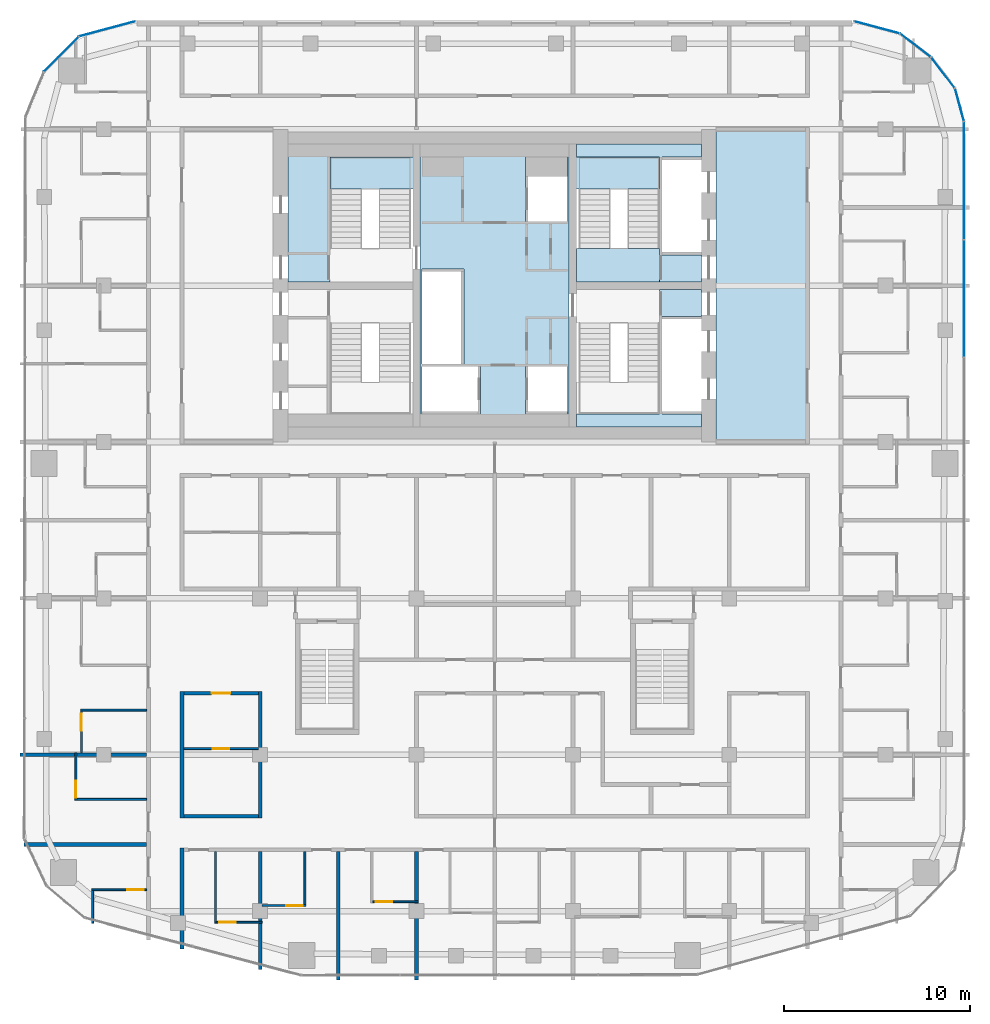
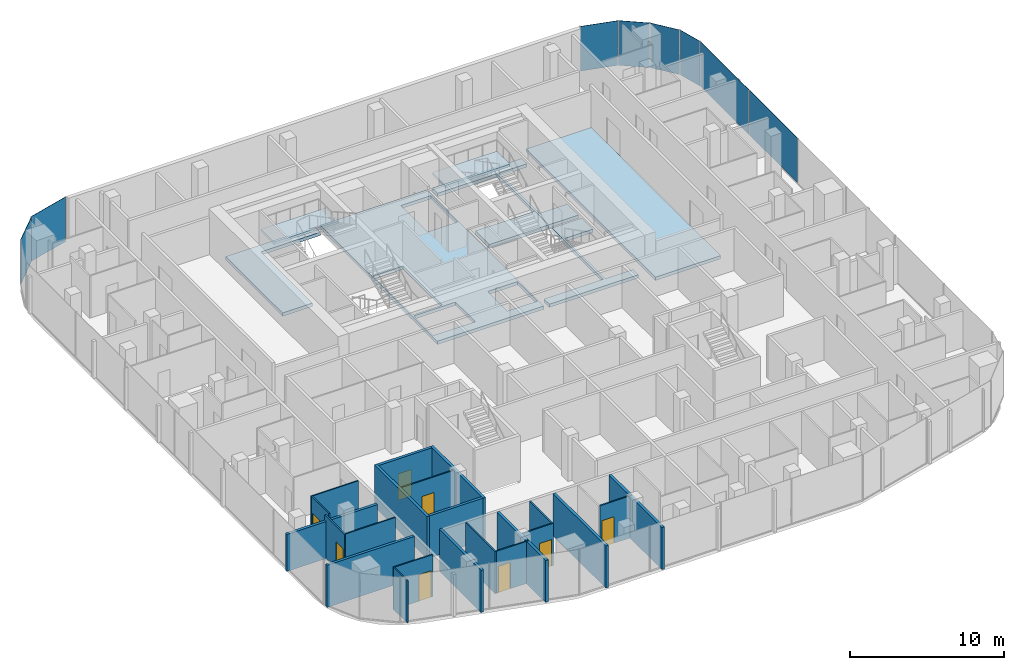
# One storey, part 13 of 22: 22 walls, 8 doors, 8 plates, 8 slabs, 8 openings, 9 elements without a shape of their own.
"""IFC4 building model written with IfcOpenShell, lengths in metres."""

from ifc_helpers import new_model, si_unit, direction, frame, frame_2d, origin, origin_2d, place, context, subcontext, project, spatial, polyline, rectangle, outline, extrude, material, layer, layer_set, type_object, element, fill, aggregate, save


model = new_model("IFC4")

# Units and contexts
model_context = context("Model", 3, precision=1e-05, world=origin(), true_north=direction((0.0, 1.0)))
body_context = subcontext(model_context, "Body", "Model", "MODEL_VIEW")
ifc_project = project(units=[si_unit("LENGTHUNIT", "METRE"), si_unit("AREAUNIT", "SQUARE_METRE"), si_unit("VOLUMEUNIT", "CUBIC_METRE"), si_unit("PLANEANGLEUNIT", "RADIAN"), si_unit("MASSUNIT", "GRAM", prefix="KILO")], contexts=[model_context])

# Site, building, storey
site_placement = place(None, origin())
site = spatial("IfcSite", under=ifc_project, at=site_placement, CompositionType="ELEMENT")
building_placement = place(site_placement, origin())
building = spatial("IfcBuilding", under=site, at=building_placement, Name="Marenta Gate Hotel Tower", CompositionType="ELEMENT")
storey_placement = place(building_placement, frame((0.0, 0.0, 209.300048828125)))
storey = spatial("IfcBuildingStorey", under=building, at=storey_placement, Name="L48", CompositionType="ELEMENT", Elevation=209.300048828125)

# Slabs
ifc_material_1 = material(Name="Concrete C40", Category="concrete")
ifc_layer_1 = layer(ifc_material_1, 0.260009765625)
ifc_layer_set_1 = layer_set([ifc_layer_1], Name="Concrete C40")
slab_type_1 = type_object("IfcSlabType", Name="Core floor slab 260", PredefinedType="FLOOR", material=ifc_layer_set_1)
slab_1_placement = place(storey_placement, frame((0.0, 0.0, -0.260009765625)))
element("IfcSlab", 1, at=slab_1_placement, inside=storey, type_object=slab_type_1, Name="L48-CF-1", PredefinedType="FLOOR", context=body_context, shape_type="SweptSolid", body=[
    extrude(outline(polyline([(11.89990234375, 0.0), (11.89990234375, 16.800048828125), (16.800048828125, 16.800048828125), (16.800048828125, 0.0), (11.89990234375, 0.0)])), origin(), (0.0, 0.0, 1.0), 0.260009765625),
])
slab_2_placement = place(storey_placement, frame((0.0, 0.0, -0.260009765625)))
element("IfcSlab", 2, at=slab_2_placement, inside=storey, type_object=slab_type_1, Name="L48-CF-2", PredefinedType="FLOOR", context=body_context, shape_type="SweptSolid", body=[
    extrude(outline(polyline([(8.85009765625, 1.5), (8.85009765625, 6.39990234375), (8.85009765625, 8.10009765625), (8.85009765625, 8.199951171875), (11.10009765625, 8.199951171875), (11.10009765625, 6.75), (9.0, 6.75), (9.0, 6.60009765625), (9.0, 4.199951171875), (9.0, 4.050048828125), (9.0, 1.64990234375), (9.0, 1.5), (11.10009765625, 1.5), (11.10009765625, 0.800048828125), (4.39990234375, 0.800048828125), (4.39990234375, 1.5), (8.85009765625, 1.5)])), origin(), (0.0, 0.0, 1.0), 0.260009765625),
])
slab_3_placement = place(storey_placement, frame((0.0, 0.0, -0.260009765625)))
element("IfcSlab", 3, at=slab_3_placement, inside=storey, type_object=slab_type_1, Name="L48-CF-3", PredefinedType="FLOOR", context=body_context, shape_type="SweptSolid", body=[
    extrude(outline(polyline([(8.85009765625, 15.300048828125), (4.39990234375, 15.300048828125), (4.39990234375, 16.0), (11.10009765625, 16.0), (11.10009765625, 15.300048828125), (9.0, 15.300048828125), (9.0, 15.14990234375), (9.0, 12.75), (9.0, 12.60009765625), (9.0, 10.199951171875), (9.0, 10.050048828125), (11.10009765625, 10.050048828125), (11.10009765625, 8.60009765625), (8.85009765625, 8.60009765625), (8.85009765625, 8.699951171875), (8.85009765625, 10.39990234375), (8.85009765625, 15.300048828125)])), origin(), (0.0, 0.0, 1.0), 0.260009765625),
])
slab_4_placement = place(storey_placement, frame((0.0, 0.0, -0.260009765625)))
element("IfcSlab", 4, at=slab_4_placement, inside=storey, type_object=slab_type_1, Name="L48-CF-4", PredefinedType="FLOOR", context=body_context, shape_type="SweptSolid", body=[
    extrude(outline(polyline([(4.0, 15.300048828125), (4.0, 10.39990234375), (4.0, 6.39990234375), (4.0, 1.5), (4.0, 0.800048828125), (-4.0, 0.800048828125), (-4.0, 1.5), (-4.0, 6.39990234375), (-4.0, 10.39990234375), (-4.0, 15.300048828125), (-4.0, 16.0), (4.0, 16.0), (4.0, 15.300048828125)]), holes=[polyline([(1.64990234375, 14.25), (1.64990234375, 11.85009765625), (1.800048828125, 11.85009765625), (3.89990234375, 11.85009765625), (3.89990234375, 14.25), (3.89990234375, 15.300048828125), (1.64990234375, 15.300048828125), (1.64990234375, 14.25)]), polyline([(3.89990234375, 1.64990234375), (3.89990234375, 4.050048828125), (1.800048828125, 4.050048828125), (1.64990234375, 4.050048828125), (1.64990234375, 1.64990234375), (1.64990234375, 1.5), (3.89990234375, 1.5), (3.89990234375, 1.64990234375)]), polyline([(-3.89990234375, 1.64990234375), (-3.89990234375, 1.5), (-0.89990234375, 1.5), (-0.75, 1.5), (-0.75, 4.050048828125), (-0.89990234375, 4.050048828125), (-3.89990234375, 4.050048828125), (-3.89990234375, 1.64990234375)]), polyline([(-1.800048828125, 4.199951171875), (-1.64990234375, 4.199951171875), (-1.64990234375, 9.14990234375), (-1.64990234375, 9.300048828125), (-3.89990234375, 9.300048828125), (-3.89990234375, 9.14990234375), (-3.89990234375, 6.75), (-3.89990234375, 6.60009765625), (-3.89990234375, 4.199951171875), (-1.800048828125, 4.199951171875)])]), origin(), (0.0, 0.0, 1.0), 0.260009765625),
])
slab_5_placement = place(storey_placement, frame((0.0, 0.0, -0.260009765625)))
element("IfcSlab", 5, at=slab_5_placement, inside=storey, type_object=slab_type_1, Name="L48-CF-6", PredefinedType="FLOOR", context=body_context, shape_type="SweptSolid", body=[
    extrude(outline(polyline([(-4.39990234375, 15.300048828125), (-8.85009765625, 15.300048828125), (-8.85009765625, 10.39990234375), (-8.85009765625, 8.699951171875), (-8.85009765625, 8.60009765625), (-11.10009765625, 8.60009765625), (-11.10009765625, 16.0), (-4.39990234375, 16.0), (-4.39990234375, 15.300048828125)])), origin(), (0.0, 0.0, 1.0), 0.260009765625),
])

# Stair, slab
ifc_material_2 = material(Name="Concrete C40", Category="concrete")
stair_type = type_object("IfcStairType", Name="Core exit stair 1700 wide", PredefinedType="HALF_TURN_STAIR", material=ifc_material_2)
stair_1_placement = place(storey_placement, origin())
stair_1 = element("IfcStair", 6, at=stair_1_placement, inside=storey, type_object=stair_type, Name="Exit stair 2", PredefinedType="HALF_TURN_STAIR")
ifc_material_3 = material(Name="Concrete C40", Category="concrete")
ifc_layer_2 = layer(ifc_material_3, 0.199951171875)
ifc_layer_set_2 = layer_set([ifc_layer_2], Name="Concrete C40")
slab_type_2 = type_object("IfcSlabType", Name="Core stair landing 200", PredefinedType="LANDING", material=ifc_layer_set_2)
slab_6_placement = place(storey_placement, frame((0.0, 0.0, 1.599853515625)))
slab_6 = element("IfcSlab", 7, at=slab_6_placement, type_object=slab_type_2, Name="SL-200 ST2 landing 1", PredefinedType="LANDING", context=body_context, shape_type="SweptSolid", body=[
    extrude(outline(polyline([(-8.85009765625, 13.590087890625), (-4.0, 13.590087890625), (-4.0, 15.300048828125), (-8.85009765625, 15.300048828125), (-8.85009765625, 13.590087890625)])), origin(), (0.0, 0.0, 1.0), 0.2001953125),
])
aggregate(stair_1, [slab_6])

stair_2_placement = place(storey_placement, origin())
stair_2 = element("IfcStair", 8, at=stair_2_placement, inside=storey, type_object=stair_type, Name="Exit stair 4", PredefinedType="HALF_TURN_STAIR")
slab_7_placement = place(storey_placement, frame((0.0, 0.0, 1.599853515625)))
slab_7 = element("IfcSlab", 9, at=slab_7_placement, type_object=slab_type_2, Name="SL-200 ST4 landing 1", PredefinedType="LANDING", context=body_context, shape_type="SweptSolid", body=[
    extrude(outline(polyline([(4.0, 13.590087890625), (8.85009765625, 13.590087890625), (8.85009765625, 15.300048828125), (4.0, 15.300048828125), (4.0, 13.590087890625)])), origin(), (0.0, 0.0, 1.0), 0.2001953125),
])
aggregate(stair_2, [slab_7])

# Curtain wall, plate
ifc_material_4 = material(Name="Tinted insulated glass in bronze anodised frame", Category="glass")
ifc_layer_3 = layer(ifc_material_4, 0.1201171875)
ifc_layer_set_3 = layer_set([ifc_layer_3], Name="Tinted insulated glass in bronze anodised frame")
curtain_wall_type = type_object("IfcCurtainWallType", Name="Tower unitised curtain wall CW1", PredefinedType="NOTDEFINED", material=ifc_layer_set_3)
curtain_wall_1_placement = place(storey_placement, origin())
curtain_wall_1 = element("IfcCurtainWall", 10, at=curtain_wall_1_placement, inside=storey, type_object=curtain_wall_type, Name="CW1 run G00", PredefinedType="NOTDEFINED")
ifc_material_5 = material(Name="Tinted insulated glass", Category="glass")
ifc_layer_4 = layer(ifc_material_5, 0.028076171875)
ifc_layer_set_4 = layer_set([ifc_layer_4], Name="Tinted insulated glass")
plate_type = type_object("IfcPlateType", Name="Glass panel CW1 28 mm tinted insulated unit", PredefinedType="CURTAIN_PANEL", material=ifc_layer_set_4)
plate_1_placement = place(storey_placement, frame((-20.813720703125, 22.19384765625, 0.059814453125), z_axis=(0.0, 0.0, 1.0), x_axis=(-0.965930559685, -0.258801379183, 0.0)))
plate_1 = element("IfcPlate", 11, at=plate_1_placement, type_object=plate_type, Name="CW1 panel 1.1", PredefinedType="CURTAIN_PANEL", context=body_context, shape_type="SweptSolid", body=[
    extrude(rectangle(XDim=3.104248046875, YDim=0.028076171875, at=origin_2d()), origin(), (0.0, 0.0, 1.0), 3.5400390625),
])
aggregate(curtain_wall_1, [plate_1])

curtain_wall_2_placement = place(storey_placement, origin())
curtain_wall_2 = element("IfcCurtainWall", 12, at=curtain_wall_2_placement, inside=storey, type_object=curtain_wall_type, Name="CW1 run G01", PredefinedType="NOTDEFINED")
plate_2_placement = place(storey_placement, frame((-23.279541015625, 20.825439453125, 0.059814453125), z_axis=(0.0, 0.0, 1.0), x_axis=(-0.707106781187, -0.707106781187, 0.0)))
plate_2 = element("IfcPlate", 13, at=plate_2_placement, type_object=plate_type, Name="CW1 panel 1.1", PredefinedType="CURTAIN_PANEL", context=body_context, shape_type="SweptSolid", body=[
    extrude(rectangle(XDim=2.614013671875, YDim=0.028076171875, at=origin_2d()), origin(), (0.0, 0.0, 1.0), 3.5400390625),
])
aggregate(curtain_wall_2, [plate_2])

# Curtain wall, plates
curtain_wall_3_placement = place(storey_placement, origin())
curtain_wall_3 = element("IfcCurtainWall", 14, at=curtain_wall_3_placement, inside=storey, type_object=curtain_wall_type, Name="CW1 run G11", PredefinedType="NOTDEFINED")
plate_3_placement = place(storey_placement, frame((25.214111328125, 7.7080078125, 0.059814453125), z_axis=(0.0, 0.0, 1.0), x_axis=(0.0, 1.0, 0.0)))
plate_3 = element("IfcPlate", 15, at=plate_3_placement, type_object=plate_type, Name="CW1 panel 5.1", PredefinedType="CURTAIN_PANEL", context=body_context, shape_type="SweptSolid", body=[
    extrude(rectangle(XDim=6.2626953125, YDim=0.028076171875, at=origin_2d()), origin(), (0.0, 0.0, 1.0), 3.5400390625),
])
plate_4_placement = place(storey_placement, frame((25.214111328125, 14.045654296875, 0.059814453125), z_axis=(0.0, 0.0, 1.0), x_axis=(0.0, 1.0, 0.0)))
plate_4 = element("IfcPlate", 16, at=plate_4_placement, type_object=plate_type, Name="CW1 panel 6.1", PredefinedType="CURTAIN_PANEL", context=body_context, shape_type="SweptSolid", body=[
    extrude(rectangle(XDim=6.29248046875, YDim=0.028076171875, at=origin_2d()), origin(), (0.0, 0.0, 1.0), 3.5400390625),
])
aggregate(curtain_wall_3, [plate_3, plate_4])

# Curtain wall, plate
curtain_wall_4_placement = place(storey_placement, origin())
curtain_wall_4 = element("IfcCurtainWall", 17, at=curtain_wall_4_placement, inside=storey, type_object=curtain_wall_type, Name="CW1 run G12", PredefinedType="NOTDEFINED")
plate_5_placement = place(storey_placement, frame((24.96630859375, 18.1162109375, 0.059814453125), z_axis=(0.0, 0.0, 1.0), x_axis=(-0.258824166754, 0.965924453932, 0.0)))
plate_5 = element("IfcPlate", 18, at=plate_5_placement, type_object=plate_type, Name="CW1 panel 1.1", PredefinedType="CURTAIN_PANEL", context=body_context, shape_type="SweptSolid", body=[
    extrude(rectangle(XDim=1.793701171875, YDim=0.028076171875, at=origin_2d()), origin(), (0.0, 0.0, 1.0), 3.5400390625),
])
aggregate(curtain_wall_4, [plate_5])

curtain_wall_5_placement = place(storey_placement, origin())
curtain_wall_5 = element("IfcCurtainWall", 19, at=curtain_wall_5_placement, inside=storey, type_object=curtain_wall_type, Name="CW1 run G13", PredefinedType="NOTDEFINED")
plate_6_placement = place(storey_placement, frame((24.0751953125, 19.84130859375, 0.059814453125), z_axis=(0.0, 0.0, 1.0), x_axis=(-0.608787499222, 0.793333335233, 0.0)))
plate_6 = element("IfcPlate", 20, at=plate_6_placement, type_object=plate_type, Name="CW1 panel 1.1", PredefinedType="CURTAIN_PANEL", context=body_context, shape_type="SweptSolid", body=[
    extrude(rectangle(XDim=2.045166015625, YDim=0.028076171875, at=origin_2d()), origin(), (0.0, 0.0, 1.0), 3.5400390625),
])
aggregate(curtain_wall_5, [plate_6])

curtain_wall_6_placement = place(storey_placement, origin())
curtain_wall_6 = element("IfcCurtainWall", 21, at=curtain_wall_6_placement, inside=storey, type_object=curtain_wall_type, Name="CW1 run G14", PredefinedType="NOTDEFINED")
plate_7_placement = place(storey_placement, frame((22.59375, 21.311767578125, 0.059814453125), z_axis=(0.0, 0.0, 1.0), x_axis=(-0.793333335233, 0.608787499222, 0.0)))
plate_7 = element("IfcPlate", 22, at=plate_7_placement, type_object=plate_type, Name="CW1 panel 1.1", PredefinedType="CURTAIN_PANEL", context=body_context, shape_type="SweptSolid", body=[
    extrude(rectangle(XDim=2.045166015625, YDim=0.028076171875, at=origin_2d()), origin(), (0.0, 0.0, 1.0), 3.5400390625),
])
aggregate(curtain_wall_6, [plate_7])

curtain_wall_7_placement = place(storey_placement, origin())
curtain_wall_7 = element("IfcCurtainWall", 23, at=curtain_wall_7_placement, inside=storey, type_object=curtain_wall_type, Name="CW1 run G15", PredefinedType="NOTDEFINED")
plate_8_placement = place(storey_placement, frame((20.51953125, 22.272705078125, 0.059814453125), z_axis=(0.0, 0.0, 1.0), x_axis=(-0.96592961764, 0.258804895175, 0.0)))
plate_8 = element("IfcPlate", 24, at=plate_8_placement, type_object=plate_type, Name="CW1 panel 1.1", PredefinedType="CURTAIN_PANEL", context=body_context, shape_type="SweptSolid", body=[
    extrude(rectangle(XDim=2.4951171875, YDim=0.028076171875, at=origin_2d()), origin(), (0.0, 0.0, 1.0), 3.5400390625),
])
aggregate(curtain_wall_7, [plate_8])

# Slab
ifc_material_6 = material(Name="Concrete C40", Category="concrete")
ifc_layer_5 = layer(ifc_material_6, 0.300048828125)
ifc_layer_set_5 = layer_set([ifc_layer_5], Name="Concrete C40")
slab_type_3 = type_object("IfcSlabType", Name="Stair floor landing slab 300", PredefinedType="FLOOR", material=ifc_layer_set_5)
slab_8_placement = place(storey_placement, frame((0.0, 0.0, -0.300048828125)))
element("IfcSlab", 25, at=slab_8_placement, inside=storey, type_object=slab_type_3, Name="L48-CL-ST4-1", PredefinedType="FLOOR", context=body_context, shape_type="SweptSolid", body=[
    extrude(outline(polyline([(4.39990234375, 8.60009765625), (4.39990234375, 10.39990234375), (8.85009765625, 10.39990234375), (8.85009765625, 8.699951171875), (8.85009765625, 8.60009765625), (4.39990234375, 8.60009765625)])), origin(), (0.0, 0.0, 1.0), 0.300048828125),
])

# Wall
ifc_material_7 = material(Name="Concrete blockwork", Category="masonry")
ifc_layer_6 = layer(ifc_material_7, 0.199951171875)
ifc_layer_set_6 = layer_set([ifc_layer_6], Name="Concrete blockwork")
wall_type_1 = type_object("IfcWallType", Name="Room corridor wall 200 EI 120", PredefinedType="PARTITIONING", material=ifc_layer_set_6)
wall_1_placement = place(storey_placement, frame((-16.699951171875, -20.10009765625, 0.0), z_axis=(0.0, 0.0, 1.0), x_axis=(1.0, 0.0, 0.0)))
element("IfcWall", 26, at=wall_1_placement, inside=storey, type_object=wall_type_1, Name="L48-PTN-W025", PredefinedType="PARTITIONING", context=body_context, shape_type="SweptSolid", body=[
    extrude(rectangle(XDim=4.0, YDim=0.199951171875, at=frame_2d((2.0, 0.0))), origin(), (0.0, 0.0, 1.0), 3.33984375),
])

# Wall, opening, door
wall_2_placement = place(storey_placement, frame((-16.699951171875, -13.5, 0.0), z_axis=(0.0, 0.0, 1.0), x_axis=(1.0, 0.0, 0.0)))
wall_2 = element("IfcWall", 27, at=wall_2_placement, inside=storey, type_object=wall_type_1, Name="L48-PTN-W041", PredefinedType="PARTITIONING", context=body_context, shape_type="SweptSolid", body=[
    extrude(rectangle(XDim=4.0, YDim=0.199951171875, at=frame_2d((2.0, 0.0))), origin(), (0.0, 0.0, 1.0), 3.33984375),
])
opening_1_placement = place(wall_2_placement, frame((1.5, 0.0, 0.0)))
opening_1 = element("IfcOpeningElement", 28, at=opening_1_placement, cuts=wall_2, Name="Opening G17-09", PredefinedType="OPENING", context=body_context, shape_type="SweptSolid", body=[
    extrude(rectangle(XDim=1.0, YDim=2.10009765625, at=frame_2d((0.5, 1.050048828125))), frame((0.0, 0.10009765625, 0.0), z_axis=(0.0, -1.0, 0.0), x_axis=(1.0, 0.0, 0.0)), (0.0, 0.0, 1.0), 0.199951171875),
])
ifc_material_8 = material(Name="Hollow steel door set", Category="steel")
door_type_1 = type_object("IfcDoorType", Name="Room service door 1000x2100 EI 60", OperationType="NOTDEFINED", PredefinedType="DOOR", material=ifc_material_8)
door_1_placement = place(opening_1_placement, origin())
door_1 = element("IfcDoor", 29, at=door_1_placement, inside=storey, type_object=door_type_1, Name="L48-PD-D009", OperationType="SINGLE_SWING_LEFT", OverallHeight=2.10009765625, OverallWidth=1.0, PredefinedType="DOOR", context=body_context, shape_type="SweptSolid", body=[
    extrude(rectangle(XDim=1.0, YDim=2.10009765625, at=frame_2d((0.5, 1.050048828125))), frame((0.0, 0.02490234375, 0.0), z_axis=(0.0, -1.0, 0.0), x_axis=(1.0, 0.0, 0.0)), (0.0, 0.0, 1.0), 0.050048828125),
])
fill(opening_1, door_1)

# Walls
for number, where, z_axis, x_axis, name in (
    (30, (-12.60009765625, -20.199951171875, 0.0), (0.0, 0.0, 1.0), (0.0, 1.0, 0.0), "L48-PTN-W107"),
    (31, (-16.800048828125, -20.199951171875, 0.0), (0.0, 0.0, 1.0), (0.0, 1.0, 0.0), "L48-PTN-W113"),
):
    element("IfcWall", number, at=place(storey_placement, frame(where, z_axis=z_axis, x_axis=x_axis)), inside=storey, type_object=wall_type_1, Name=name, PredefinedType="PARTITIONING", context=body_context, shape_type="SweptSolid", body=[
        extrude(rectangle(XDim=6.800048828125, YDim=0.199951171875, at=frame_2d((3.39990234375, 0.0))), origin(), (0.0, 0.0, 1.0), 3.33984375),
    ])
ifc_material_9 = material(Name="Gypsum board on steel stud", Category="steel")
ifc_layer_7 = layer(ifc_material_9, 0.199951171875)
ifc_layer_set_7 = layer_set([ifc_layer_7], Name="Gypsum board on steel stud")
wall_type_2 = type_object("IfcWallType", Name="Room corridor wall 200 EI 60", PredefinedType="PARTITIONING", material=ifc_layer_set_7)
wall_3_placement = place(storey_placement, frame((-16.800048828125, -27.22900390625, 0.0), z_axis=(0.0, 0.0, 1.0), x_axis=(0.0, 1.0, 0.0)))
element("IfcWall", 32, at=wall_3_placement, inside=storey, type_object=wall_type_2, Name="L48-PTN-W112", PredefinedType="PARTITIONING", context=body_context, shape_type="SweptSolid", body=[
    extrude(rectangle(XDim=5.428955078125, YDim=0.199951171875, at=frame_2d((2.71435546875, 0.0))), origin(), (0.0, 0.0, 1.0), 3.33984375),
])

# Wall, opening, door
ifc_material_10 = material(Name="Gypsum board on steel stud", Category="steel")
ifc_layer_8 = layer(ifc_material_10, 0.10009765625)
ifc_layer_set_8 = layer_set([ifc_layer_8], Name="Gypsum board on steel stud")
wall_type_3 = type_object("IfcWallType", Name="Room partition 100", PredefinedType="PARTITIONING", material=ifc_layer_set_8)
wall_4_placement = place(storey_placement, frame((-14.949951171875, -25.800048828125, 0.0), z_axis=(0.0, 0.0, 1.0), x_axis=(1.0, 0.0, 0.0)))
wall_4 = element("IfcWall", 33, at=wall_4_placement, inside=storey, type_object=wall_type_3, Name="L48-PTN-W001", PredefinedType="PARTITIONING", context=body_context, shape_type="SweptSolid", body=[
    extrude(rectangle(XDim=2.449951171875, YDim=0.10009765625, at=frame_2d((1.22509765625, 0.0))), origin(), (0.0, 0.0, 1.0), 3.33984375),
])
opening_2_placement = place(wall_4_placement, frame((0.14990234375, 0.0, 0.0)))
opening_2 = element("IfcOpeningElement", 34, at=opening_2_placement, cuts=wall_4, Name="Opening G17-42", PredefinedType="OPENING", context=body_context, shape_type="SweptSolid", body=[
    extrude(rectangle(XDim=0.89990234375, YDim=2.10009765625, at=frame_2d((0.449951171875, 1.050048828125))), frame((0.0, 0.050048828125, 0.0), z_axis=(0.0, -1.0, 0.0), x_axis=(1.0, 0.0, 0.0)), (0.0, 0.0, 1.0), 0.10009765625),
])
ifc_material_11 = material(Name="Timber door leaf", Category="wood")
door_type_2 = type_object("IfcDoorType", Name="Guest bathroom door 900x2100", OperationType="NOTDEFINED", PredefinedType="DOOR", material=ifc_material_11)
door_2_placement = place(opening_2_placement, origin())
door_2 = element("IfcDoor", 35, at=door_2_placement, inside=storey, type_object=door_type_2, Name="L48-PD-D042", OperationType="SINGLE_SWING_LEFT", OverallHeight=2.10009765625, OverallWidth=0.89990234375, PredefinedType="DOOR", context=body_context, shape_type="SweptSolid", body=[
    extrude(rectangle(XDim=0.89990234375, YDim=2.10009765625, at=frame_2d((0.449951171875, 1.050048828125))), frame((0.0, 0.02490234375, 0.0), z_axis=(0.0, -1.0, 0.0), x_axis=(1.0, 0.0, 0.0)), (0.0, 0.0, 1.0), 0.050048828125),
])
fill(opening_2, door_2)

wall_5_placement = place(storey_placement, frame((-12.5, -24.89990234375, 0.0), z_axis=(0.0, 0.0, 1.0), x_axis=(1.0, 0.0, 0.0)))
wall_5 = element("IfcWall", 36, at=wall_5_placement, inside=storey, type_object=wall_type_3, Name="L48-PTN-W007", PredefinedType="PARTITIONING", context=body_context, shape_type="SweptSolid", body=[
    extrude(rectangle(XDim=2.35009765625, YDim=0.10009765625, at=frame_2d((1.175048828125, 0.0))), origin(), (0.0, 0.0, 1.0), 3.33984375),
])
opening_3_placement = place(wall_5_placement, frame((1.300048828125, 0.0, 0.0)))
opening_3 = element("IfcOpeningElement", 37, at=opening_3_placement, cuts=wall_5, Name="Opening G17-44", PredefinedType="OPENING", context=body_context, shape_type="SweptSolid", body=[
    extrude(rectangle(XDim=0.89990234375, YDim=2.10009765625, at=frame_2d((0.449951171875, 1.050048828125))), frame((0.0, 0.050048828125, 0.0), z_axis=(0.0, -1.0, 0.0), x_axis=(1.0, 0.0, 0.0)), (0.0, 0.0, 1.0), 0.10009765625),
])
door_3_placement = place(opening_3_placement, origin())
door_3 = element("IfcDoor", 38, at=door_3_placement, inside=storey, type_object=door_type_2, Name="L48-PD-D044", OperationType="SINGLE_SWING_RIGHT", OverallHeight=2.10009765625, OverallWidth=0.89990234375, PredefinedType="DOOR", context=body_context, shape_type="SweptSolid", body=[
    extrude(rectangle(XDim=0.89990234375, YDim=2.10009765625, at=frame_2d((0.449951171875, 1.050048828125))), frame((0.0, 0.02490234375, 0.0), z_axis=(0.0, -1.0, 0.0), x_axis=(1.0, 0.0, 0.0)), (0.0, 0.0, 1.0), 0.050048828125),
])
fill(opening_3, door_3)

wall_6_placement = place(storey_placement, frame((-6.550048828125, -24.699951171875, 0.0), z_axis=(0.0, 0.0, 1.0), x_axis=(1.0, 0.0, 0.0)))
wall_6 = element("IfcWall", 39, at=wall_6_placement, inside=storey, type_object=wall_type_3, Name="L48-PTN-W008", PredefinedType="PARTITIONING", context=body_context, shape_type="SweptSolid", body=[
    extrude(rectangle(XDim=2.449951171875, YDim=0.10009765625, at=frame_2d((1.22509765625, 0.0))), origin(), (0.0, 0.0, 1.0), 3.33984375),
])
opening_4_placement = place(wall_6_placement, frame((0.14990234375, 0.0, 0.0)))
opening_4 = element("IfcOpeningElement", 40, at=opening_4_placement, cuts=wall_6, Name="Opening G17-46", PredefinedType="OPENING", context=body_context, shape_type="SweptSolid", body=[
    extrude(rectangle(XDim=0.89990234375, YDim=2.10009765625, at=frame_2d((0.449951171875, 1.050048828125))), frame((0.0, 0.050048828125, 0.0), z_axis=(0.0, -1.0, 0.0), x_axis=(1.0, 0.0, 0.0)), (0.0, 0.0, 1.0), 0.10009765625),
])
door_4_placement = place(opening_4_placement, origin())
door_4 = element("IfcDoor", 41, at=door_4_placement, inside=storey, type_object=door_type_2, Name="L48-PD-D046", OperationType="SINGLE_SWING_LEFT", OverallHeight=2.10009765625, OverallWidth=0.89990234375, PredefinedType="DOOR", context=body_context, shape_type="SweptSolid", body=[
    extrude(rectangle(XDim=0.89990234375, YDim=2.10009765625, at=frame_2d((0.449951171875, 1.050048828125))), frame((0.0, 0.02490234375, 0.0), z_axis=(0.0, -1.0, 0.0), x_axis=(1.0, 0.0, 0.0)), (0.0, 0.0, 1.0), 0.050048828125),
])
fill(opening_4, door_4)

wall_7_placement = place(storey_placement, frame((-21.64990234375, -24.051025390625, 0.0), z_axis=(0.0, 0.0, 1.0), x_axis=(1.0, 0.0, 0.0)))
wall_7 = element("IfcWall", 42, at=wall_7_placement, inside=storey, type_object=wall_type_3, Name="L48-PTN-W009", PredefinedType="PARTITIONING", context=body_context, shape_type="SweptSolid", body=[
    extrude(rectangle(XDim=2.949951171875, YDim=0.10009765625, at=frame_2d((1.47509765625, 0.0))), origin(), (0.0, 0.0, 1.0), 3.33984375),
])
opening_5_placement = place(wall_7_placement, frame((1.89990234375, 0.0, 0.0)))
opening_5 = element("IfcOpeningElement", 43, at=opening_5_placement, cuts=wall_7, Name="Opening G17-57", PredefinedType="OPENING", context=body_context, shape_type="SweptSolid", body=[
    extrude(rectangle(XDim=0.89990234375, YDim=2.10009765625, at=frame_2d((0.449951171875, 1.050048828125))), frame((0.0, 0.050048828125, 0.0), z_axis=(0.0, -1.0, 0.0), x_axis=(1.0, 0.0, 0.0)), (0.0, 0.0, 1.0), 0.10009765625),
])
door_5_placement = place(opening_5_placement, origin())
door_5 = element("IfcDoor", 44, at=door_5_placement, inside=storey, type_object=door_type_2, Name="L48-PD-D057", OperationType="SINGLE_SWING_LEFT", OverallHeight=2.10009765625, OverallWidth=0.89990234375, PredefinedType="DOOR", context=body_context, shape_type="SweptSolid", body=[
    extrude(rectangle(XDim=0.89990234375, YDim=2.10009765625, at=frame_2d((0.449951171875, 1.050048828125))), frame((0.0, 0.02490234375, 0.0), z_axis=(0.0, -1.0, 0.0), x_axis=(1.0, 0.0, 0.0)), (0.0, 0.0, 1.0), 0.050048828125),
])
fill(opening_5, door_5)

# Wall
wall_8_placement = place(storey_placement, frame((-22.449951171875, -19.199951171875, 0.0), z_axis=(0.0, 0.0, 1.0), x_axis=(1.0, 0.0, 0.0)))
element("IfcWall", 45, at=wall_8_placement, inside=storey, type_object=wall_type_3, Name="L48-PTN-W027", PredefinedType="PARTITIONING", context=body_context, shape_type="SweptSolid", body=[
    extrude(rectangle(XDim=3.75, YDim=0.10009765625, at=frame_2d((1.875, 0.0))), origin(), (0.0, 0.0, 1.0), 3.33984375),
])

# Wall, opening, door
wall_9_placement = place(storey_placement, frame((-16.699951171875, -16.469970703125, 0.0), z_axis=(0.0, 0.0, 1.0), x_axis=(1.0, 0.0, 0.0)))
wall_9 = element("IfcWall", 46, at=wall_9_placement, inside=storey, type_object=wall_type_3, Name="L48-PTN-W037", PredefinedType="PARTITIONING", context=body_context, shape_type="SweptSolid", body=[
    extrude(rectangle(XDim=4.0, YDim=0.10009765625, at=frame_2d((2.0, 0.0))), origin(), (0.0, 0.0, 1.0), 3.33984375),
])
opening_6_placement = place(wall_9_placement, frame((1.550048828125, 0.0, 0.0)))
opening_6 = element("IfcOpeningElement", 47, at=opening_6_placement, cuts=wall_9, Name="Opening G17-10", PredefinedType="OPENING", context=body_context, shape_type="SweptSolid", body=[
    extrude(rectangle(XDim=0.89990234375, YDim=2.10009765625, at=frame_2d((0.449951171875, 1.050048828125))), frame((0.0, 0.050048828125, 0.0), z_axis=(0.0, -1.0, 0.0), x_axis=(1.0, 0.0, 0.0)), (0.0, 0.0, 1.0), 0.10009765625),
])
ifc_material_12 = material(Name="Timber door leaf", Category="wood")
door_type_3 = type_object("IfcDoorType", Name="Room inner door 900x2100", OperationType="NOTDEFINED", PredefinedType="DOOR", material=ifc_material_12)
door_6_placement = place(opening_6_placement, origin())
door_6 = element("IfcDoor", 48, at=door_6_placement, inside=storey, type_object=door_type_3, Name="L48-PD-D010", OperationType="SINGLE_SWING_LEFT", OverallHeight=2.10009765625, OverallWidth=0.89990234375, PredefinedType="DOOR", context=body_context, shape_type="SweptSolid", body=[
    extrude(rectangle(XDim=0.89990234375, YDim=2.10009765625, at=frame_2d((0.449951171875, 1.050048828125))), frame((0.0, 0.02490234375, 0.0), z_axis=(0.0, -1.0, 0.0), x_axis=(1.0, 0.0, 0.0)), (0.0, 0.0, 1.0), 0.050048828125),
])
fill(opening_6, door_6)

# Walls
wall_10_placement = place(storey_placement, frame((-22.25, -14.39990234375, 0.0), z_axis=(0.0, 0.0, 1.0), x_axis=(1.0, 0.0, 0.0)))
element("IfcWall", 49, at=wall_10_placement, inside=storey, type_object=wall_type_3, Name="L48-PTN-W039", PredefinedType="PARTITIONING", context=body_context, shape_type="SweptSolid", body=[
    extrude(rectangle(XDim=3.550048828125, YDim=0.10009765625, at=frame_2d((1.77490234375, 0.0))), origin(), (0.0, 0.0, 1.0), 3.33984375),
])
wall_11_placement = place(storey_placement, frame((-10.199951171875, -24.85009765625, 0.0), z_axis=(0.0, 0.0, 1.0), x_axis=(0.0, 1.0, 0.0)))
element("IfcWall", 50, at=wall_11_placement, inside=storey, type_object=wall_type_3, Name="L48-PTN-W100", PredefinedType="PARTITIONING", context=body_context, shape_type="SweptSolid", body=[
    extrude(rectangle(XDim=2.85009765625, YDim=0.10009765625, at=frame_2d((1.425048828125, 0.0))), origin(), (0.0, 0.0, 1.0), 3.33984375),
])
wall_12_placement = place(storey_placement, frame((-15.0, -25.85009765625, 0.0), z_axis=(0.0, 0.0, 1.0), x_axis=(0.0, 1.0, 0.0)))
element("IfcWall", 51, at=wall_12_placement, inside=storey, type_object=wall_type_3, Name="L48-PTN-W111", PredefinedType="PARTITIONING", context=body_context, shape_type="SweptSolid", body=[
    extrude(rectangle(XDim=3.85009765625, YDim=0.10009765625, at=frame_2d((1.925048828125, 0.0))), origin(), (0.0, 0.0, 1.0), 3.33984375),
])
wall_13_placement = place(storey_placement, frame((-21.60009765625, -25.85107421875, 0.0), z_axis=(0.0, 0.0, 1.0), x_axis=(0.0, 1.0, 0.0)))
element("IfcWall", 52, at=wall_13_placement, inside=storey, type_object=wall_type_3, Name="L48-PTN-W124", PredefinedType="PARTITIONING", context=body_context, shape_type="SweptSolid", body=[
    extrude(rectangle(XDim=1.75, YDim=0.10009765625, at=frame_2d((0.875, 0.0))), origin(), (0.0, 0.0, 1.0), 3.33984375),
])

# Wall, opening, door
wall_14_placement = place(storey_placement, frame((-22.199951171875, -16.699951171875, 0.0), z_axis=(0.0, 0.0, 1.0), x_axis=(0.0, 1.0, 0.0)))
wall_14 = element("IfcWall", 53, at=wall_14_placement, inside=storey, type_object=wall_type_3, Name="L48-PTN-W126", PredefinedType="PARTITIONING", context=body_context, shape_type="SweptSolid", body=[
    extrude(rectangle(XDim=2.25, YDim=0.10009765625, at=frame_2d((1.125, 0.0))), origin(), (0.0, 0.0, 1.0), 3.33984375),
])
opening_7_placement = place(wall_14_placement, frame((1.199951171875, 0.0, 0.0)))
opening_7 = element("IfcOpeningElement", 54, at=opening_7_placement, cuts=wall_14, Name="Opening G17-62", PredefinedType="OPENING", context=body_context, shape_type="SweptSolid", body=[
    extrude(rectangle(XDim=0.89990234375, YDim=2.10009765625, at=frame_2d((0.449951171875, 1.050048828125))), frame((0.0, 0.050048828125, 0.0), z_axis=(0.0, -1.0, 0.0), x_axis=(1.0, 0.0, 0.0)), (0.0, 0.0, 1.0), 0.10009765625),
])
door_7_placement = place(opening_7_placement, origin())
door_7 = element("IfcDoor", 55, at=door_7_placement, inside=storey, type_object=door_type_3, Name="L48-PD-D062", OperationType="SINGLE_SWING_LEFT", OverallHeight=2.10009765625, OverallWidth=0.89990234375, PredefinedType="DOOR", context=body_context, shape_type="SweptSolid", body=[
    extrude(rectangle(XDim=0.89990234375, YDim=2.10009765625, at=frame_2d((0.449951171875, 1.050048828125))), frame((0.0, 0.02490234375, 0.0), z_axis=(0.0, -1.0, 0.0), x_axis=(1.0, 0.0, 0.0)), (0.0, 0.0, 1.0), 0.050048828125),
])
fill(opening_7, door_7)

wall_15_placement = place(storey_placement, frame((-22.5, -19.25, 0.0), z_axis=(0.0, 0.0, 1.0), x_axis=(0.0, 1.0, 0.0)))
wall_15 = element("IfcWall", 56, at=wall_15_placement, inside=storey, type_object=wall_type_3, Name="L48-PTN-W130", PredefinedType="PARTITIONING", context=body_context, shape_type="SweptSolid", body=[
    extrude(rectangle(XDim=2.550048828125, YDim=0.10009765625, at=frame_2d((1.27490234375, 0.0))), origin(), (0.0, 0.0, 1.0), 3.33984375),
])
opening_8_placement = place(wall_15_placement, frame((0.14990234375, 0.0, 0.0)))
opening_8 = element("IfcOpeningElement", 57, at=opening_8_placement, cuts=wall_15, Name="Opening G17-59", PredefinedType="OPENING", context=body_context, shape_type="SweptSolid", body=[
    extrude(rectangle(XDim=0.89990234375, YDim=2.10009765625, at=frame_2d((0.449951171875, 1.050048828125))), frame((0.0, 0.050048828125, 0.0), z_axis=(0.0, -1.0, 0.0), x_axis=(1.0, 0.0, 0.0)), (0.0, 0.0, 1.0), 0.10009765625),
])
door_8_placement = place(opening_8_placement, origin())
door_8 = element("IfcDoor", 58, at=door_8_placement, inside=storey, type_object=door_type_2, Name="L48-PD-D059", OperationType="SINGLE_SWING_RIGHT", OverallHeight=2.10009765625, OverallWidth=0.89990234375, PredefinedType="DOOR", context=body_context, shape_type="SweptSolid", body=[
    extrude(rectangle(XDim=0.89990234375, YDim=2.10009765625, at=frame_2d((0.449951171875, 1.050048828125))), frame((0.0, 0.02490234375, 0.0), z_axis=(0.0, -1.0, 0.0), x_axis=(1.0, 0.0, 0.0)), (0.0, 0.0, 1.0), 0.050048828125),
])
fill(opening_8, door_8)

# Walls
ifc_material_13 = material(Name="Gypsum board on steel stud", Category="steel")
ifc_layer_9 = layer(ifc_material_13, 0.199951171875)
ifc_layer_set_9 = layer_set([ifc_layer_9], Name="Gypsum board on steel stud")
wall_type_4 = type_object("IfcWallType", Name="Room party wall 200 EI 60", PredefinedType="PARTITIONING", material=ifc_layer_set_9)
wall_16_placement = place(storey_placement, frame((-25.27587890625, -21.625, 0.0), z_axis=(0.0, 0.0, 1.0), x_axis=(1.0, 0.0, 0.0)))
element("IfcWall", 59, at=wall_16_placement, inside=storey, type_object=wall_type_4, Name="L48-PTN-W020", PredefinedType="PARTITIONING", context=body_context, shape_type="SweptSolid", body=[
    extrude(rectangle(XDim=6.575927734375, YDim=0.199951171875, at=frame_2d((3.2880859375, 0.0))), origin(), (0.0, 0.0, 1.0), 3.33984375),
])
wall_17_placement = place(storey_placement, frame((-25.5, -16.800048828125, 0.0), z_axis=(0.0, 0.0, 1.0), x_axis=(1.0, 0.0, 0.0)))
element("IfcWall", 60, at=wall_17_placement, inside=storey, type_object=wall_type_4, Name="L48-PTN-W035", PredefinedType="PARTITIONING", context=body_context, shape_type="SweptSolid", body=[
    extrude(rectangle(XDim=6.800048828125, YDim=0.199951171875, at=frame_2d((3.39990234375, 0.0))), origin(), (0.0, 0.0, 1.0), 2.93994140625),
])
for number, where, z_axis, x_axis, name in (
    (61, (-4.199951171875, -28.89990234375, 0.0), (0.0, 0.0, 1.0), (0.0, 1.0, 0.0), "L48-PTN-W087"),
    (62, (-8.39990234375, -28.89990234375, 0.0), (0.0, 0.0, 1.0), (0.0, 1.0, 0.0), "L48-PTN-W096"),
):
    element("IfcWall", number, at=place(storey_placement, frame(where, z_axis=z_axis, x_axis=x_axis)), inside=storey, type_object=wall_type_4, Name=name, PredefinedType="PARTITIONING", context=body_context, shape_type="SweptSolid", body=[
        extrude(rectangle(XDim=6.89990234375, YDim=0.199951171875, at=frame_2d((3.449951171875, 0.0))), origin(), (0.0, 0.0, 1.0), 3.33984375),
    ])
wall_18_placement = place(storey_placement, frame((-12.60009765625, -28.343017578125, 0.0), z_axis=(0.0, 0.0, 1.0), x_axis=(0.0, 1.0, 0.0)))
element("IfcWall", 63, at=wall_18_placement, inside=storey, type_object=wall_type_4, Name="L48-PTN-W104", PredefinedType="PARTITIONING", context=body_context, shape_type="SweptSolid", body=[
    extrude(rectangle(XDim=6.343017578125, YDim=0.199951171875, at=frame_2d((3.17138671875, 0.0))), origin(), (0.0, 0.0, 1.0), 3.33984375),
])

save(model, "model.ifc")
